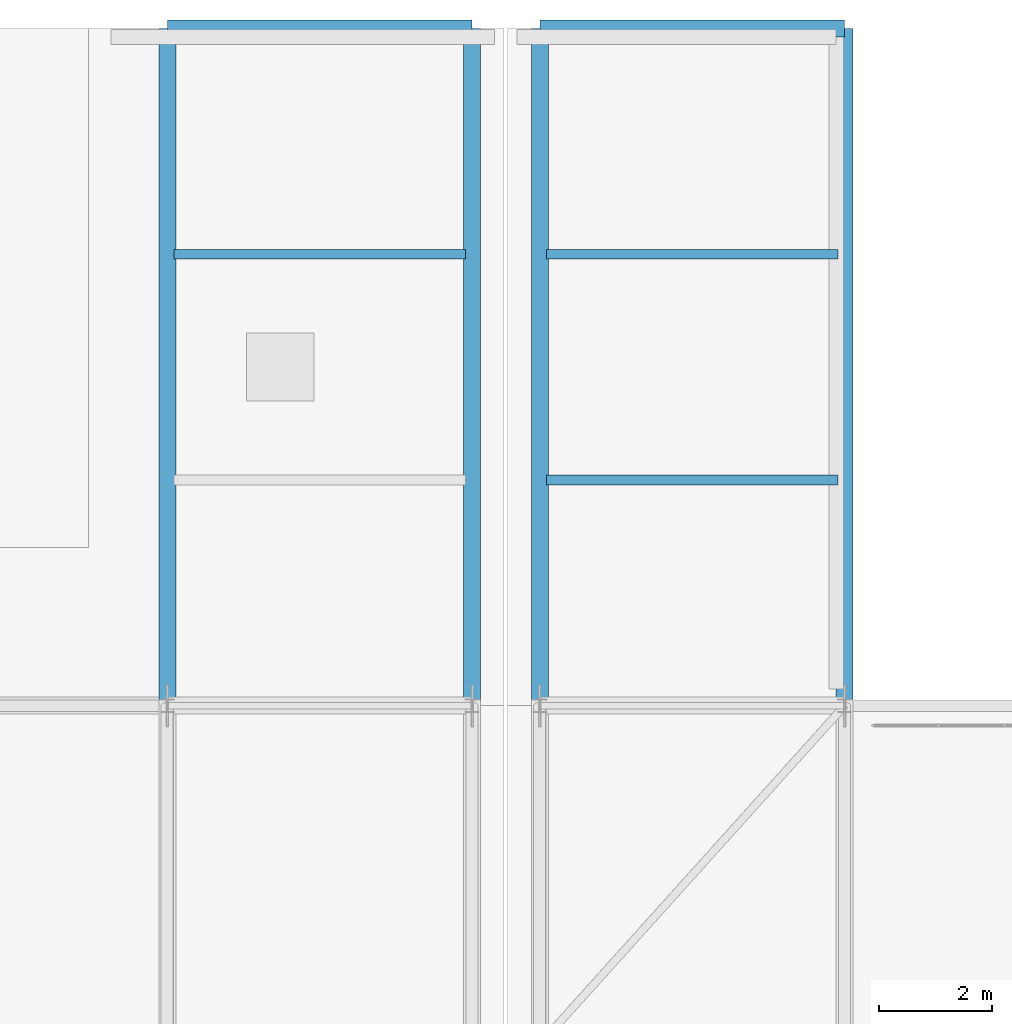
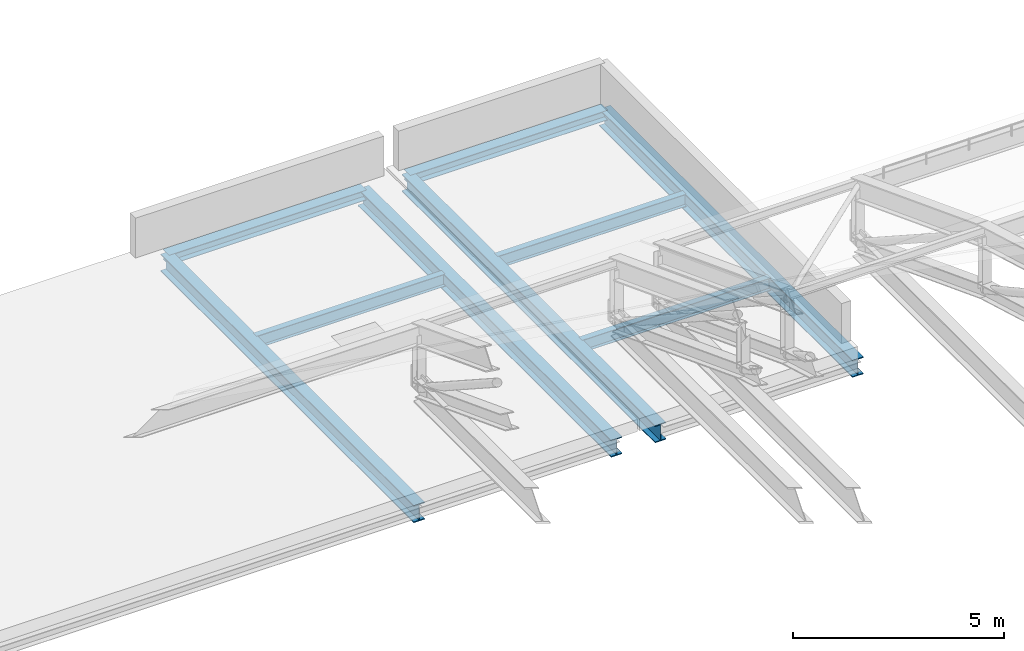
# One storey, part 154 of 204: 9 beams.
"""IFC4 building model written with IfcOpenShell, lengths in metres."""

from ifc_helpers import new_model, si_unit, direction, frame, origin, origin_2d, place, context, subcontext, project, spatial, i_section, extrude, material, material_profile, profile_set, type_object, element, save


model = new_model("IFC4")

# Units and contexts
model_context = context("Model", 3, precision=1e-05, world=origin(), true_north=direction((0.0, 1.0)))
body_context = subcontext(model_context, "Body", "Model", "MODEL_VIEW")
ifc_project = project(units=[si_unit("LENGTHUNIT", "METRE"), si_unit("AREAUNIT", "SQUARE_METRE"), si_unit("VOLUMEUNIT", "CUBIC_METRE"), si_unit("PLANEANGLEUNIT", "RADIAN"), si_unit("MASSUNIT", "GRAM", prefix="KILO")], contexts=[model_context])

# Site, building, storey
site_placement = place(None, origin())
site = spatial("IfcSite", under=ifc_project, at=site_placement, CompositionType="ELEMENT")
building_placement = place(site_placement, origin())
building = spatial("IfcBuilding", under=site, at=building_placement, Name="Zilviju Railside Exhibition Hall", CompositionType="ELEMENT")
storey_placement = place(building_placement, frame((0.0, 0.0, 21.0)))
storey = spatial("IfcBuildingStorey", under=building, at=storey_placement, Name="RF", CompositionType="ELEMENT", Elevation=21.0)

# Beams
ifc_material = material(Name="Steel S355J2", Category="steel")
ifc_material_profile_1 = material_profile(ifc_material, i_section(OverallWidth=0.300048828125, OverallDepth=0.2900390625, WebThickness=0.008544921875, FlangeThickness=0.013916015625, at=origin_2d()), Name="HEA 300")
ifc_profile_set_1 = profile_set([ifc_material_profile_1], Name="Steel S355J2")
beam_type_1 = type_object("IfcBeamType", Name="BM-HEA300", PredefinedType="SPANDREL", material=ifc_profile_set_1)
for number, where, z_axis, x_axis, name in (
    (1, (168.0, 150.0, -7.094970703125), (1.0, 0.0, 0.0), (0.0, 1.0, 0.0), "Logistics Roof Beam Y=150.0 (168.0..173.4)"),
    (2, (174.60009765625, 150.0, -7.094970703125), (1.0, 0.0, 0.0), (0.0, 1.0, 0.0), "Logistics Roof Beam Y=150.0 (174.6..180.0)"),
):
    element("IfcBeam", number, at=place(storey_placement, frame(where, z_axis=z_axis, x_axis=x_axis)), inside=storey, type_object=beam_type_1, Name=name, PredefinedType="SPANDREL", context=body_context, shape_type="SweptSolid", body=[
        extrude(i_section(OverallWidth=0.300048828125, OverallDepth=0.2900390625, WebThickness=0.008544921875, FlangeThickness=0.013916015625, at=origin_2d()), origin(), (0.0, 0.0, 1.0), 5.39990234375),
    ])
ifc_material_profile_2 = material_profile(ifc_material, i_section(OverallWidth=0.300048828125, OverallDepth=0.5, WebThickness=0.014404296875, FlangeThickness=0.028076171875, at=origin_2d()), Name="HEB 500")
ifc_profile_set_2 = profile_set([ifc_material_profile_2], Name="Steel S355J2")
beam_type_2 = type_object("IfcBeamType", Name="BM-HEB500", PredefinedType="BEAM", material=ifc_profile_set_2)
for number, where, z_axis, x_axis, name in (
    (3, (168.0, 138.0, -7.199951171875), (0.0, 1.0, 0.0), (-1.0, 0.0, 0.0), "Logistics Roof Girder X=168.0"),
    (4, (173.39990234375, 138.0, -7.199951171875), (0.0, 1.0, 0.0), (-1.0, 0.0, 0.0), "Logistics Roof Girder X=173.4"),
    (5, (174.60009765625, 138.0, -7.199951171875), (0.0, 1.0, 0.0), (-1.0, 0.0, 0.0), "Logistics Roof Girder X=174.6"),
    (6, (180.0, 138.0, -7.199951171875), (0.0, 1.0, 0.0), (-1.0, 0.0, 0.0), "Logistics Roof Girder X=180.0"),
):
    element("IfcBeam", number, at=place(storey_placement, frame(where, z_axis=z_axis, x_axis=x_axis)), inside=storey, type_object=beam_type_2, Name=name, PredefinedType="BEAM", context=body_context, shape_type="SweptSolid", body=[
        extrude(i_section(OverallWidth=0.300048828125, OverallDepth=0.5, WebThickness=0.014404296875, FlangeThickness=0.028076171875, at=origin_2d()), origin(), (0.0, 0.0, 1.0), 12.0),
    ])
ifc_material_profile_3 = material_profile(ifc_material, i_section(OverallWidth=0.169921875, OverallDepth=0.360107421875, WebThickness=0.008056640625, FlangeThickness=0.0126953125, at=origin_2d()), Name="IPE 360")
ifc_profile_set_3 = profile_set([ifc_material_profile_3], Name="Steel S355J2")
beam_type_3 = type_object("IfcBeamType", Name="BM-IPE360", PredefinedType="JOIST", material=ifc_profile_set_3)
for number, where, z_axis, x_axis, name in (
    (7, (168.1201171875, 146.0, -7.1298828125), (1.0, 0.0, 0.0), (0.0, 1.0, 0.0), "Logistics Roof Beam Y=146.0 (168.0..173.4)"),
    (8, (174.719970703125, 142.0, -7.1298828125), (1.0, 0.0, 0.0), (0.0, 1.0, 0.0), "Logistics Roof Beam Y=142.0 (174.6..180.0)"),
    (9, (174.719970703125, 146.0, -7.1298828125), (1.0, 0.0, 0.0), (0.0, 1.0, 0.0), "Logistics Roof Beam Y=146.0 (174.6..180.0)"),
):
    element("IfcBeam", number, at=place(storey_placement, frame(where, z_axis=z_axis, x_axis=x_axis)), inside=storey, type_object=beam_type_3, Name=name, PredefinedType="JOIST", context=body_context, shape_type="SweptSolid", body=[
        extrude(i_section(OverallWidth=0.169921875, OverallDepth=0.360107421875, WebThickness=0.008056640625, FlangeThickness=0.0126953125, at=origin_2d()), origin(), (0.0, 0.0, 1.0), 5.159912109375),
    ])

save(model, "model.ifc")
